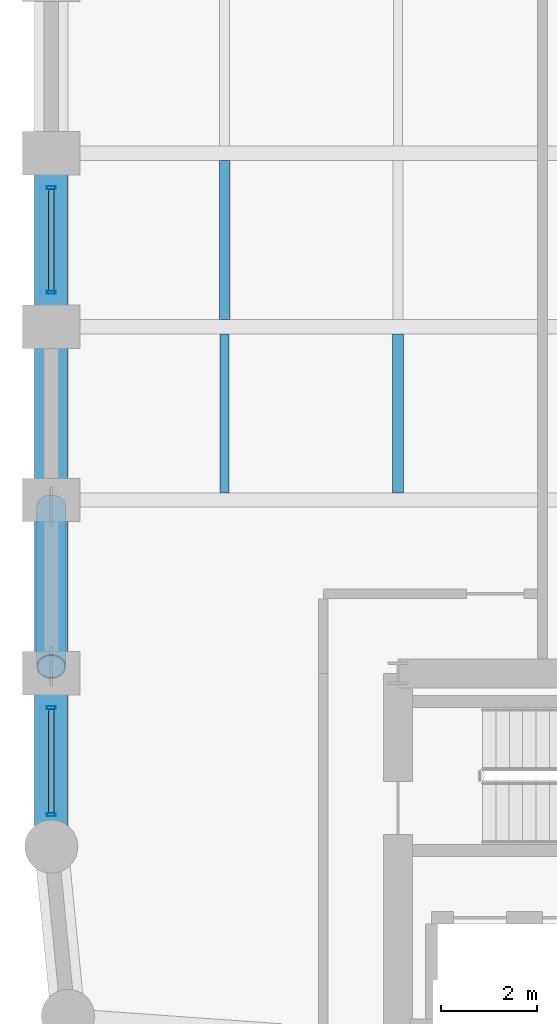
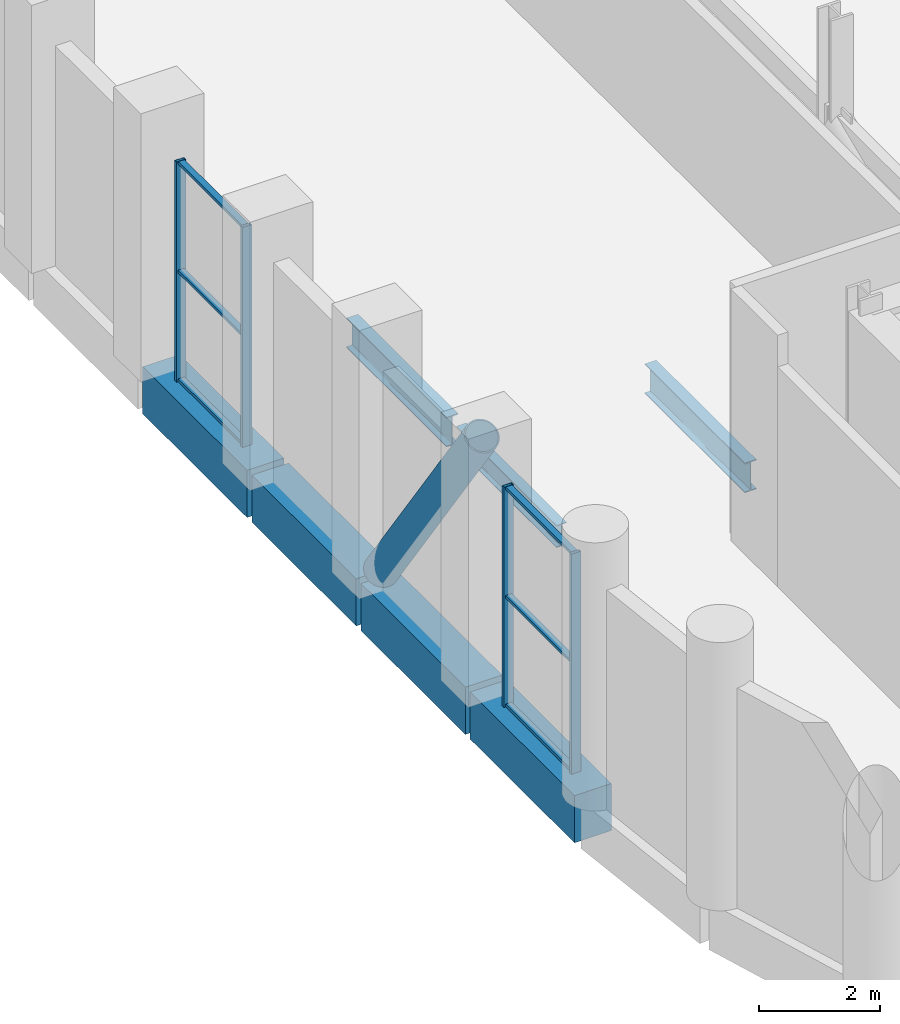
# One storey, part 6 of 27: 11 members, 7 beams, 2 elements without a shape of their own.
"""IFC4 building model written with IfcOpenShell, lengths in metres."""

import ifcopenshell
import ifcopenshell.guid

model = None  # the IFC model being written
_history = None  # IfcOwnerHistory: only IFC2X3 demands one
_inside = {}  # id of a spatial element -> (the spatial element, [elements in it])
_under = {}  # id of a project, library or spatial element -> (it, [spatial elements below it])
_declared = {}  # id of a project -> (the project, [libraries it declares])
_typed = {}  # id of a type object -> (the type object, [elements of that type])
_made_of = {}  # id of a material, layer set ... -> (it, [elements and type objects made of it])


def new_model(schema):
    """Start an empty IFC model of exactly this schema.

    Asked for "IFC4X3", IfcOpenShell would pick the latest addendum, in which some entities
    have other attributes; the version numbers below select the first issue.
    IFC2X3 requires an IfcOwnerHistory on every rooted entity: one is made here for all.
    """
    global model, _history
    if schema == "IFC4X3":
        model = ifcopenshell.file(schema_version=(4, 3, 0, 0))
    else:
        model = ifcopenshell.file(schema=schema)
    _inside.clear()
    _under.clear()
    _declared.clear()
    _typed.clear()
    _made_of.clear()
    _history = None
    if model.schema == "IFC2X3":
        org = make("IfcOrganization", Name="unknown")
        user = make(
            "IfcPersonAndOrganization",
            ThePerson=make("IfcPerson", FamilyName="unknown"),
            TheOrganization=org,
        )
        app = make(
            "IfcApplication",
            ApplicationDeveloper=org,
            Version="unknown",
            ApplicationFullName="unknown",
            ApplicationIdentifier="unknown",
        )
        _history = make(
            "IfcOwnerHistory",
            OwningUser=user,
            OwningApplication=app,
            ChangeAction="ADDED",
            CreationDate=0,
        )
    return model


def make(cls, **values):
    """One entity of the class cls with the attributes given. An attribute that is None is left unset."""
    return model.create_entity(
        cls, **{name: value for name, value in values.items() if value is not None}
    )


def rooted(cls, **values):
    """An entity with a GlobalId (a new one), such as an element, a storey or a relation."""
    return make(cls, GlobalId=ifcopenshell.guid.new(), OwnerHistory=_history, **values)


def si_unit(unit_type, name, prefix=None):
    """IfcSIUnit, for example si_unit("LENGTHUNIT", "METRE", prefix="MILLI")."""
    return make("IfcSIUnit", UnitType=unit_type, Prefix=prefix, Name=name)


def assignment(units):
    """IfcUnitAssignment: the units of a project."""
    return None if units is None else make("IfcUnitAssignment", Units=units)


def point(xyz):
    """IfcCartesianPoint."""
    return None if xyz is None else make("IfcCartesianPoint", Coordinates=xyz)


def direction(xyz):
    """IfcDirection."""
    return None if xyz is None else make("IfcDirection", DirectionRatios=xyz)


def frame(location, z_axis=None, x_axis=None):
    """IfcAxis2Placement3D, a coordinate frame: its origin and axes. An axis left out is left unset."""
    return make(
        "IfcAxis2Placement3D",
        Location=point(location),
        Axis=direction(z_axis),
        RefDirection=direction(x_axis),
    )


def frame_2d(location, x_axis=None):
    """IfcAxis2Placement2D, a coordinate frame in the plane: its origin and x axis."""
    return make(
        "IfcAxis2Placement2D", Location=point(location), RefDirection=direction(x_axis)
    )


def origin():
    """The frame at (0, 0, 0) with its axes left unset."""
    return frame((0.0, 0.0, 0.0))


def origin_2d():
    """The frame at (0, 0) in the plane with its x axis left unset."""
    return frame_2d((0.0, 0.0))


def place(relative_to, where):
    """IfcLocalPlacement: puts the frame where relative to a parent placement (None: the world)."""
    return make(
        "IfcLocalPlacement", PlacementRelTo=relative_to, RelativePlacement=where
    )


def context(
    kind, dimensions, precision=None, world=None, true_north=None, identifier=None
):
    """IfcGeometricRepresentationContext, for example the 3D "Model" context."""
    return make(
        "IfcGeometricRepresentationContext",
        ContextIdentifier=identifier,
        ContextType=kind,
        CoordinateSpaceDimension=dimensions,
        Precision=precision,
        WorldCoordinateSystem=world,
        TrueNorth=true_north,
    )


def subcontext(parent, identifier, kind, view, scale=None):
    """IfcGeometricRepresentationSubContext, for example "Body" below "Model"."""
    return make(
        "IfcGeometricRepresentationSubContext",
        ContextIdentifier=identifier,
        ContextType=kind,
        ParentContext=parent,
        TargetScale=scale,
        TargetView=view,
    )


def project(units=None, contexts=None):
    """IfcProject with its units and contexts."""
    return rooted(
        "IfcProject",
        Name="project",
        RepresentationContexts=contexts,
        UnitsInContext=assignment(units),
    )


def spatial(cls, under=None, at=None, **own):
    """A site, building, storey or space (cls), placed at a placement, below another one or the project."""
    s = rooted(cls, ObjectPlacement=at, **own)
    if under is not None:
        _under.setdefault(under.id(), (under, []))[1].append(s)
    return s


def profile(cls, at=None, kind="AREA", **sizes):
    """A parametric profile (cls). Its sizes go by their IFC names, for example OverallWidth=200.0."""
    return make(cls, ProfileType=kind, Position=at, **sizes)


def rectangle(**sizes):
    """IfcRectangleProfileDef."""
    return profile("IfcRectangleProfileDef", **sizes)


def hollow_rectangle(**sizes):
    """IfcRectangleHollowProfileDef."""
    return profile("IfcRectangleHollowProfileDef", **sizes)


def hollow_circle(**sizes):
    """IfcCircleHollowProfileDef."""
    return profile("IfcCircleHollowProfileDef", **sizes)


def i_section(**sizes):
    """IfcIShapeProfileDef."""
    return profile("IfcIShapeProfileDef", **sizes)


def extrude(swept, where, along, depth):
    """IfcExtrudedAreaSolid: the profile swept, set in the frame where, extruded along a direction by depth."""
    return make(
        "IfcExtrudedAreaSolid",
        SweptArea=swept,
        Position=where,
        ExtrudedDirection=direction(along),
        Depth=depth,
    )


def shape(context_of_items, identifier, shape_type, items):
    """IfcShapeRepresentation: the items that make up one representation, for example the "Body"."""
    return make(
        "IfcShapeRepresentation",
        ContextOfItems=context_of_items,
        RepresentationIdentifier=identifier,
        RepresentationType=shape_type,
        Items=items,
    )


def material(Name=None, Category=None):
    """IfcMaterial."""
    return make("IfcMaterial", Name=Name, Category=Category)


def layer(
    of_material, thickness, ventilated=None, Name=None, Category=None, Priority=None
):
    """IfcMaterialLayer: one layer of a wall or slab, of a material (None: an air gap)."""
    return make(
        "IfcMaterialLayer",
        Material=of_material,
        LayerThickness=thickness,
        IsVentilated=ventilated,
        Name=Name,
        Category=Category,
        Priority=Priority,
    )


def layer_set(layers, Name=None):
    """IfcMaterialLayerSet."""
    return make("IfcMaterialLayerSet", MaterialLayers=layers, LayerSetName=Name)


def material_profile(
    of_material, cross_section, Name=None, Category=None, Priority=None
):
    """IfcMaterialProfile: a cross section and its material."""
    return make(
        "IfcMaterialProfile",
        Name=Name,
        Material=of_material,
        Profile=cross_section,
        Priority=Priority,
        Category=Category,
    )


def profile_set(profiles, Name=None, composite=None):
    """IfcMaterialProfileSet."""
    return make(
        "IfcMaterialProfileSet",
        Name=Name,
        MaterialProfiles=profiles,
        CompositeProfile=composite,
    )


def made_of(thing, what):
    """Note that an element or type object is made of a material, layer set ...; save() writes the relation."""
    if what is not None:
        _made_of.setdefault(what.id(), (what, []))[1].append(thing)
    return thing


def type_object(cls, material=None, **own):
    """A type object (cls), such as IfcWallType, which elements share."""
    return made_of(rooted(cls, **own), material)


def element(
    cls,
    number,
    at=None,
    inside=None,
    cuts=None,
    type_object=None,
    material=None,
    context=None,
    identifier="Body",
    shape_type=None,
    held_by="IfcProductDefinitionShape",
    body=None,
    shapes=None,
    **own,
):
    """One element of the class cls, such as IfcWall. Its Tag is "e" and its number.

    at: its placement. inside: the storey or other place that contains it. cuts: it is an
    opening in that element (IfcRelVoidsElement). A single representation is given by context,
    identifier, shape_type and body (its items); several are given by shapes. held_by: the class
    of the entity that holds the representations. save() writes the other relations.
    """
    e = rooted(cls, Tag="e%d" % number, ObjectPlacement=at, **own)
    if body is not None:
        shapes = [shape(context, identifier, shape_type, body)]
    if shapes is not None:
        e.Representation = make(held_by, Representations=shapes)
    if inside is not None:
        _inside.setdefault(inside.id(), (inside, []))[1].append(e)
    if cuts is not None:
        rooted(
            "IfcRelVoidsElement", RelatingBuildingElement=cuts, RelatedOpeningElement=e
        )
    if type_object is not None:
        _typed.setdefault(type_object.id(), (type_object, []))[1].append(e)
    return made_of(e, material)


def aggregate(whole, parts):
    """IfcRelAggregates: a whole, such as a stair, and the parts it consists of."""
    return rooted("IfcRelAggregates", RelatingObject=whole, RelatedObjects=parts)


def save(model, path):
    """Write the relations noted so far, then the file.

    IfcRelAggregates (storeys below a building ...), IfcRelContainedInSpatialStructure (elements
    in a storey), IfcRelDefinesByType, IfcRelAssociatesMaterial and IfcRelDeclares: one each for
    every whole, place, type object, material and project.
    """
    for whole, parts in _under.values():
        aggregate(whole, parts)
    for where, things in _inside.values():
        rooted(
            "IfcRelContainedInSpatialStructure",
            RelatedElements=things,
            RelatingStructure=where,
        )
    for kind, things in _typed.values():
        rooted("IfcRelDefinesByType", RelatedObjects=things, RelatingType=kind)
    for what, things in _made_of.values():
        rooted("IfcRelAssociatesMaterial", RelatedObjects=things, RelatingMaterial=what)
    for by, libraries in _declared.values():
        rooted("IfcRelDeclares", RelatingContext=by, RelatedDefinitions=libraries)
    model.write(path)


model = new_model("IFC4")

# Units and contexts
model_context = context("Model", 3, precision=1e-05, world=origin(), true_north=direction((0.0, 1.0)))
body_context = subcontext(model_context, "Body", "Model", "MODEL_VIEW")
ifc_project = project(units=[si_unit("LENGTHUNIT", "METRE"), si_unit("AREAUNIT", "SQUARE_METRE"), si_unit("VOLUMEUNIT", "CUBIC_METRE"), si_unit("PLANEANGLEUNIT", "RADIAN"), si_unit("MASSUNIT", "GRAM", prefix="KILO")], contexts=[model_context])

# Site, building, storey
site_placement = place(None, origin())
site = spatial("IfcSite", under=ifc_project, at=site_placement, CompositionType="ELEMENT")
building_placement = place(site_placement, origin())
building = spatial("IfcBuilding", under=site, at=building_placement, Name="Solnavia Interchange Tower", CompositionType="ELEMENT")
storey_placement = place(building_placement, frame((0.0, 0.0, 74.699951171875)))
storey = spatial("IfcBuildingStorey", under=building, at=storey_placement, Name="L18", CompositionType="ELEMENT", Elevation=74.699951171875)

# Beams
ifc_material_1 = material(Name="Steel S355", Category="steel")
ifc_material_profile_1 = material_profile(ifc_material_1, i_section(OverallWidth=0.18994140625, OverallDepth=0.449951171875, WebThickness=0.009521484375, FlangeThickness=0.0146484375, FilletRadius=0.02099609375, at=origin_2d()), Name="IPE 450")
ifc_profile_set_1 = profile_set([ifc_material_profile_1], Name="Steel S355")
beam_type_1 = type_object("IfcBeamType", Name="Beam-Joist-IPE450", PredefinedType="JOIST", material=ifc_profile_set_1)
beam_1_placement = place(storey_placement, frame((10.800048828125, 28.949951171875, -0.544921875), z_axis=(0.0, 1.0, 0.0), x_axis=(-1.0, 0.0, 0.0)))
element("IfcBeam", 1, at=beam_1_placement, inside=storey, type_object=beam_type_1, Name="JST-L18-N21 North wing secondary joist", PredefinedType="JOIST", context=body_context, shape_type="SweptSolid", body=[
    extrude(i_section(OverallWidth=0.18994140625, OverallDepth=0.449951171875, WebThickness=0.009521484375, FlangeThickness=0.0146484375, FilletRadius=0.02099609375, at=origin_2d()), origin(), (0.0, 0.0, 1.0), 3.300048828125),
])
ifc_material_profile_2 = material_profile(ifc_material_1, i_section(OverallWidth=0.219970703125, OverallDepth=0.60009765625, WebThickness=0.011962890625, FlangeThickness=0.01904296875, FilletRadius=0.02392578125, at=origin_2d()), Name="IPE 600")
ifc_profile_set_2 = profile_set([ifc_material_profile_2], Name="Steel S355")
beam_type_2 = type_object("IfcBeamType", Name="Beam-Joist-IPE600", PredefinedType="JOIST", material=ifc_profile_set_2)
for number, where, z_axis, x_axis, name in (
    (2, (10.800048828125, 32.550048828125, -0.619873046875), (0.0, 1.0, 0.0), (-1.0, 0.0, 0.0), "JST-L18-N22 North wing secondary joist"),
    (3, (14.39990234375, 28.949951171875, -0.619873046875), (0.0, 1.0, 0.0), (-1.0, 0.0, 0.0), "JST-L18-N25 North wing secondary joist"),
):
    element("IfcBeam", number, at=place(storey_placement, frame(where, z_axis=z_axis, x_axis=x_axis)), inside=storey, type_object=beam_type_2, Name=name, PredefinedType="JOIST", context=body_context, shape_type="SweptSolid", body=[
        extrude(i_section(OverallWidth=0.219970703125, OverallDepth=0.60009765625, WebThickness=0.011962890625, FlangeThickness=0.01904296875, FilletRadius=0.02392578125, at=origin_2d()), origin(), (0.0, 0.0, 1.0), 3.300048828125),
    ])
ifc_material_2 = material(Name="Concrete C50/60", Category="concrete")
ifc_material_profile_3 = material_profile(ifc_material_2, rectangle(XDim=0.699951171875, YDim=0.949951171875, at=origin_2d()), Name="RC 700x950")
ifc_profile_set_3 = profile_set([ifc_material_profile_3], Name="Concrete C50/60")
beam_type_3 = type_object("IfcBeamType", Name="Beam-Spandrel-RC700x950", PredefinedType="SPANDREL", material=ifc_profile_set_3)
beam_2_placement = place(storey_placement, frame((7.199951171875, 35.919921875, -0.474853515625), z_axis=(0.0, -1.0, 0.0), x_axis=(1.0, 0.0, 0.0)))
element("IfcBeam", 4, at=beam_2_placement, inside=storey, type_object=beam_type_3, Name="SPB-L18-41 Framed-tube perimeter spandrel beam", PredefinedType="SPANDREL", context=body_context, shape_type="SweptSolid", body=[
    extrude(rectangle(XDim=0.699951171875, YDim=0.949951171875, at=origin_2d()), origin(), (0.0, 0.0, 1.0), 3.43994140625),
])
beam_3_placement = place(storey_placement, frame((7.199951171875, 32.320068359375, -0.474853515625), z_axis=(0.0, -1.0, 0.0), x_axis=(1.0, 0.0, 0.0)))
element("IfcBeam", 5, at=beam_3_placement, inside=storey, type_object=beam_type_3, Name="SPB-L18-42 Framed-tube perimeter spandrel beam", PredefinedType="SPANDREL", context=body_context, shape_type="SweptSolid", body=[
    extrude(rectangle(XDim=0.699951171875, YDim=0.949951171875, at=origin_2d()), origin(), (0.0, 0.0, 1.0), 3.440185546875),
])
beam_4_placement = place(storey_placement, frame((7.199951171875, 28.719970703125, -0.474853515625), z_axis=(0.0, -1.0, 0.0), x_axis=(1.0, 0.0, 0.0)))
element("IfcBeam", 6, at=beam_4_placement, inside=storey, type_object=beam_type_3, Name="SPB-L18-43 Framed-tube perimeter spandrel beam", PredefinedType="SPANDREL", context=body_context, shape_type="SweptSolid", body=[
    extrude(rectangle(XDim=0.699951171875, YDim=0.949951171875, at=origin_2d()), origin(), (0.0, 0.0, 1.0), 3.43994140625),
])
beam_5_placement = place(storey_placement, frame((7.199951171875, 25.1201171875, -0.474853515625), z_axis=(0.0, -1.0, 0.0), x_axis=(1.0, 0.0, 0.0)))
element("IfcBeam", 7, at=beam_5_placement, inside=storey, type_object=beam_type_3, Name="SPB-L18-44 Framed-tube perimeter spandrel beam", PredefinedType="SPANDREL", context=body_context, shape_type="SweptSolid", body=[
    extrude(rectangle(XDim=0.699951171875, YDim=0.949951171875, at=origin_2d()), origin(), (0.0, 0.0, 1.0), 3.440185546875),
])

# Member
ifc_material_3 = material(Name="Steel S460", Category="steel")
ifc_material_profile_4 = material_profile(ifc_material_3, hollow_circle(Radius=0.304931640625, WallThickness=0.02490234375, at=origin_2d()), Name="CHS 610x25")
ifc_profile_set_4 = profile_set([ifc_material_profile_4], Name="Steel S460")
member_type_1 = type_object("IfcMemberType", Name="Brace-Perim-CHS610", PredefinedType="BRACE", material=ifc_profile_set_4)
member_1_placement = place(storey_placement, frame((7.199951171875, 28.659912109375, 0.179931640625), z_axis=(0.0, -0.575283795437, 0.817953882996), x_axis=(1.0, 0.0, 0.0)))
element("IfcMember", 8, at=member_1_placement, inside=storey, type_object=member_type_1, Name="BRC-L18-02 Perimeter tube diagonal brace", PredefinedType="BRACE", context=body_context, shape_type="SweptSolid", body=[
    extrude(hollow_circle(Radius=0.304931640625, WallThickness=0.02490234375, at=origin_2d()), origin(), (0.0, 0.0, 1.0), 5.770751953125),
])

# Curtain wall, members
ifc_material_4 = material(Name="Aluminium Alloy 6063-T6", Category="aluminium")
ifc_layer = layer(ifc_material_4, 0.199951171875)
ifc_layer_set = layer_set([ifc_layer], Name="Aluminium Alloy 6063-T6")
curtain_wall_type = type_object("IfcCurtainWallType", Name="CurtainWall-Louvre-CTW5", PredefinedType="NOTDEFINED", material=ifc_layer_set)
curtain_wall_1_placement = place(storey_placement, origin())
curtain_wall_1 = element("IfcCurtainWall", 9, at=curtain_wall_1_placement, inside=storey, type_object=curtain_wall_type, Name="CTW-L18-L51 CTW-5 curtain wall", PredefinedType="NOTDEFINED")
ifc_material_profile_5 = material_profile(ifc_material_4, hollow_rectangle(XDim=0.06494140625, YDim=0.179931640625, WallThickness=0.00439453125, at=origin_2d()), Name="ALU 180x65x4.5")
ifc_profile_set_5 = profile_set([ifc_material_profile_5], Name="Aluminium Alloy 6063-T6")
member_type_2 = type_object("IfcMemberType", Name="CW-Mullion-CWM-5", PredefinedType="MULLION", material=ifc_profile_set_5)
member_2_placement = place(storey_placement, frame((7.199951171875, 35.284912109375, 0.0), z_axis=(0.0, 0.0, 1.0), x_axis=(0.0, -1.0, 0.0)))
member_2 = element("IfcMember", 10, at=member_2_placement, type_object=member_type_2, Name="CTW-5 mullion 1", PredefinedType="MULLION", context=body_context, shape_type="SweptSolid", body=[
    extrude(hollow_rectangle(XDim=0.06494140625, YDim=0.179931640625, WallThickness=0.00439453125, at=origin_2d()), origin(), (0.0, 0.0, 1.0), 4.429931640625),
])
member_3_placement = place(storey_placement, frame((7.199951171875, 33.114990234375, 0.0), z_axis=(0.0, 0.0, 1.0), x_axis=(0.0, -1.0, 0.0)))
member_3 = element("IfcMember", 11, at=member_3_placement, type_object=member_type_2, Name="CTW-5 mullion 2", PredefinedType="MULLION", context=body_context, shape_type="SweptSolid", body=[
    extrude(hollow_rectangle(XDim=0.06494140625, YDim=0.179931640625, WallThickness=0.00439453125, at=origin_2d()), origin(), (0.0, 0.0, 1.0), 4.429931640625),
])

curtain_wall_2_placement = place(storey_placement, origin())
curtain_wall_2 = element("IfcCurtainWall", 12, at=curtain_wall_2_placement, inside=storey, type_object=curtain_wall_type, Name="CTW-L18-L54 CTW-5 curtain wall", PredefinedType="NOTDEFINED")
member_4_placement = place(storey_placement, frame((7.199951171875, 24.485107421875, 0.0), z_axis=(0.0, 0.0, 1.0), x_axis=(0.0, -1.0, 0.0)))
member_4 = element("IfcMember", 13, at=member_4_placement, type_object=member_type_2, Name="CTW-5 mullion 1", PredefinedType="MULLION", context=body_context, shape_type="SweptSolid", body=[
    extrude(hollow_rectangle(XDim=0.06494140625, YDim=0.179931640625, WallThickness=0.00439453125, at=origin_2d()), origin(), (0.0, 0.0, 1.0), 4.429931640625),
])
member_5_placement = place(storey_placement, frame((7.199951171875, 22.264892578125, 0.0), z_axis=(0.0, 0.0, 1.0), x_axis=(0.0, -1.0, 0.0)))
member_5 = element("IfcMember", 14, at=member_5_placement, type_object=member_type_2, Name="CTW-5 mullion 2", PredefinedType="MULLION", context=body_context, shape_type="SweptSolid", body=[
    extrude(hollow_rectangle(XDim=0.06494140625, YDim=0.179931640625, WallThickness=0.00439453125, at=origin_2d()), origin(), (0.0, 0.0, 1.0), 4.429931640625),
])

# Member
ifc_material_profile_6 = material_profile(ifc_material_4, hollow_rectangle(XDim=0.06005859375, YDim=0.1201171875, WallThickness=0.00390625, at=origin_2d()), Name="ALU 120x60x4")
ifc_profile_set_6 = profile_set([ifc_material_profile_6], Name="Aluminium Alloy 6063-T6")
member_type_3 = type_object("IfcMemberType", Name="CW-Transom-CWT-5", PredefinedType="USERDEFINED", material=ifc_profile_set_6)
member_6_placement = place(storey_placement, frame((7.199951171875, 35.25244140625, 0.030029296875), z_axis=(0.0, -1.0, 0.0), x_axis=(0.0, 0.0, 1.0)))
member_6 = element("IfcMember", 15, at=member_6_placement, type_object=member_type_3, Name="CTW-5 transom 1.1", ObjectType="TRANSOM", PredefinedType="USERDEFINED", context=body_context, shape_type="SweptSolid", body=[
    extrude(hollow_rectangle(XDim=0.06005859375, YDim=0.1201171875, WallThickness=0.00390625, at=origin_2d()), origin(), (0.0, 0.0, 1.0), 2.10498046875),
])

member_7_placement = place(storey_placement, frame((7.199951171875, 35.25244140625, 2.215087890625), z_axis=(0.0, -1.0, 0.0), x_axis=(0.0, 0.0, 1.0)))
member_7 = element("IfcMember", 16, at=member_7_placement, type_object=member_type_3, Name="CTW-5 transom 1.2", ObjectType="TRANSOM", PredefinedType="USERDEFINED", context=body_context, shape_type="SweptSolid", body=[
    extrude(hollow_rectangle(XDim=0.06005859375, YDim=0.1201171875, WallThickness=0.00390625, at=origin_2d()), origin(), (0.0, 0.0, 1.0), 2.10498046875),
])

member_8_placement = place(storey_placement, frame((7.199951171875, 35.25244140625, 4.400146484375), z_axis=(0.0, -1.0, 0.0), x_axis=(0.0, 0.0, 1.0)))
member_8 = element("IfcMember", 17, at=member_8_placement, type_object=member_type_3, Name="CTW-5 transom 1.3", ObjectType="TRANSOM", PredefinedType="USERDEFINED", context=body_context, shape_type="SweptSolid", body=[
    extrude(hollow_rectangle(XDim=0.06005859375, YDim=0.1201171875, WallThickness=0.00390625, at=origin_2d()), origin(), (0.0, 0.0, 1.0), 2.10498046875),
])

aggregate(curtain_wall_1, [member_2, member_3, member_6, member_7, member_8])

member_9_placement = place(storey_placement, frame((7.199951171875, 24.452392578125, 0.030029296875), z_axis=(0.0, -1.0, 0.0), x_axis=(0.0, 0.0, 1.0)))
member_9 = element("IfcMember", 18, at=member_9_placement, type_object=member_type_3, Name="CTW-5 transom 1.1", ObjectType="TRANSOM", PredefinedType="USERDEFINED", context=body_context, shape_type="SweptSolid", body=[
    extrude(hollow_rectangle(XDim=0.06005859375, YDim=0.1201171875, WallThickness=0.00390625, at=origin_2d()), origin(), (0.0, 0.0, 1.0), 2.15478515625),
])

member_10_placement = place(storey_placement, frame((7.199951171875, 24.452392578125, 2.215087890625), z_axis=(0.0, -1.0, 0.0), x_axis=(0.0, 0.0, 1.0)))
member_10 = element("IfcMember", 19, at=member_10_placement, type_object=member_type_3, Name="CTW-5 transom 1.2", ObjectType="TRANSOM", PredefinedType="USERDEFINED", context=body_context, shape_type="SweptSolid", body=[
    extrude(hollow_rectangle(XDim=0.06005859375, YDim=0.1201171875, WallThickness=0.00390625, at=origin_2d()), origin(), (0.0, 0.0, 1.0), 2.15478515625),
])

member_11_placement = place(storey_placement, frame((7.199951171875, 24.452392578125, 4.400146484375), z_axis=(0.0, -1.0, 0.0), x_axis=(0.0, 0.0, 1.0)))
member_11 = element("IfcMember", 20, at=member_11_placement, type_object=member_type_3, Name="CTW-5 transom 1.3", ObjectType="TRANSOM", PredefinedType="USERDEFINED", context=body_context, shape_type="SweptSolid", body=[
    extrude(hollow_rectangle(XDim=0.06005859375, YDim=0.1201171875, WallThickness=0.00390625, at=origin_2d()), origin(), (0.0, 0.0, 1.0), 2.15478515625),
])

aggregate(curtain_wall_2, [member_4, member_5, member_9, member_10, member_11])

save(model, "model.ifc")
